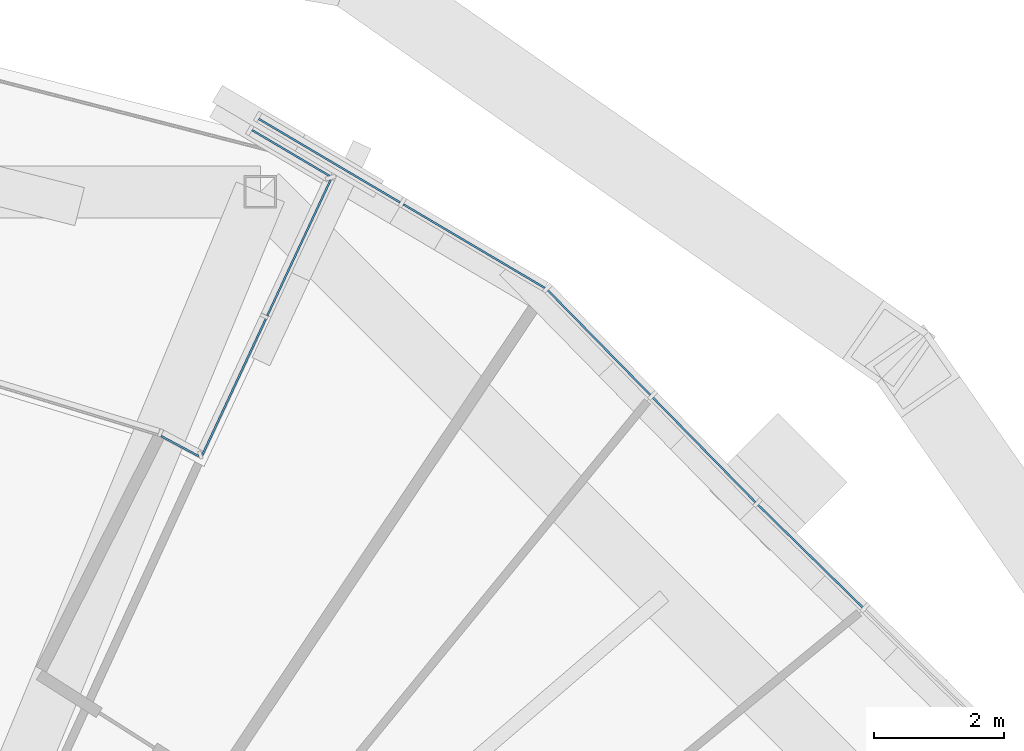
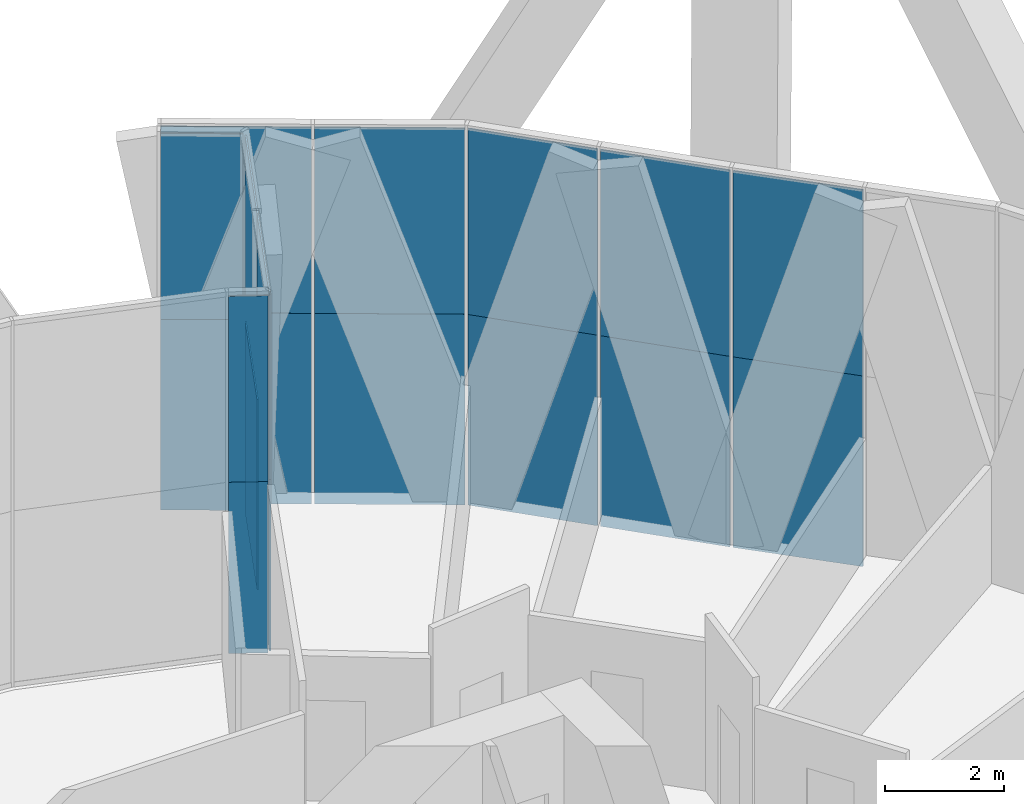
# One storey, part 19 of 31: 18 plates, 5 elements without a shape of their own.
"""IFC4 building model written with IfcOpenShell, lengths in metres."""

import ifcopenshell
import ifcopenshell.guid

model = None  # the IFC model being written
_history = None  # IfcOwnerHistory: only IFC2X3 demands one
_inside = {}  # id of a spatial element -> (the spatial element, [elements in it])
_under = {}  # id of a project, library or spatial element -> (it, [spatial elements below it])
_declared = {}  # id of a project -> (the project, [libraries it declares])
_typed = {}  # id of a type object -> (the type object, [elements of that type])
_made_of = {}  # id of a material, layer set ... -> (it, [elements and type objects made of it])


def new_model(schema):
    """Start an empty IFC model of exactly this schema.

    Asked for "IFC4X3", IfcOpenShell would pick the latest addendum, in which some entities
    have other attributes; the version numbers below select the first issue.
    IFC2X3 requires an IfcOwnerHistory on every rooted entity: one is made here for all.
    """
    global model, _history
    if schema == "IFC4X3":
        model = ifcopenshell.file(schema_version=(4, 3, 0, 0))
    else:
        model = ifcopenshell.file(schema=schema)
    _inside.clear()
    _under.clear()
    _declared.clear()
    _typed.clear()
    _made_of.clear()
    _history = None
    if model.schema == "IFC2X3":
        org = make("IfcOrganization", Name="unknown")
        user = make(
            "IfcPersonAndOrganization",
            ThePerson=make("IfcPerson", FamilyName="unknown"),
            TheOrganization=org,
        )
        app = make(
            "IfcApplication",
            ApplicationDeveloper=org,
            Version="unknown",
            ApplicationFullName="unknown",
            ApplicationIdentifier="unknown",
        )
        _history = make(
            "IfcOwnerHistory",
            OwningUser=user,
            OwningApplication=app,
            ChangeAction="ADDED",
            CreationDate=0,
        )
    return model


def make(cls, **values):
    """One entity of the class cls with the attributes given. An attribute that is None is left unset."""
    return model.create_entity(
        cls, **{name: value for name, value in values.items() if value is not None}
    )


def rooted(cls, **values):
    """An entity with a GlobalId (a new one), such as an element, a storey or a relation."""
    return make(cls, GlobalId=ifcopenshell.guid.new(), OwnerHistory=_history, **values)


def si_unit(unit_type, name, prefix=None):
    """IfcSIUnit, for example si_unit("LENGTHUNIT", "METRE", prefix="MILLI")."""
    return make("IfcSIUnit", UnitType=unit_type, Prefix=prefix, Name=name)


def assignment(units):
    """IfcUnitAssignment: the units of a project."""
    return None if units is None else make("IfcUnitAssignment", Units=units)


def point(xyz):
    """IfcCartesianPoint."""
    return None if xyz is None else make("IfcCartesianPoint", Coordinates=xyz)


def direction(xyz):
    """IfcDirection."""
    return None if xyz is None else make("IfcDirection", DirectionRatios=xyz)


def frame(location, z_axis=None, x_axis=None):
    """IfcAxis2Placement3D, a coordinate frame: its origin and axes. An axis left out is left unset."""
    return make(
        "IfcAxis2Placement3D",
        Location=point(location),
        Axis=direction(z_axis),
        RefDirection=direction(x_axis),
    )


def frame_2d(location, x_axis=None):
    """IfcAxis2Placement2D, a coordinate frame in the plane: its origin and x axis."""
    return make(
        "IfcAxis2Placement2D", Location=point(location), RefDirection=direction(x_axis)
    )


def origin():
    """The frame at (0, 0, 0) with its axes left unset."""
    return frame((0.0, 0.0, 0.0))


def origin_2d():
    """The frame at (0, 0) in the plane with its x axis left unset."""
    return frame_2d((0.0, 0.0))


def place(relative_to, where):
    """IfcLocalPlacement: puts the frame where relative to a parent placement (None: the world)."""
    return make(
        "IfcLocalPlacement", PlacementRelTo=relative_to, RelativePlacement=where
    )


def context(
    kind, dimensions, precision=None, world=None, true_north=None, identifier=None
):
    """IfcGeometricRepresentationContext, for example the 3D "Model" context."""
    return make(
        "IfcGeometricRepresentationContext",
        ContextIdentifier=identifier,
        ContextType=kind,
        CoordinateSpaceDimension=dimensions,
        Precision=precision,
        WorldCoordinateSystem=world,
        TrueNorth=true_north,
    )


def subcontext(parent, identifier, kind, view, scale=None):
    """IfcGeometricRepresentationSubContext, for example "Body" below "Model"."""
    return make(
        "IfcGeometricRepresentationSubContext",
        ContextIdentifier=identifier,
        ContextType=kind,
        ParentContext=parent,
        TargetScale=scale,
        TargetView=view,
    )


def project(units=None, contexts=None):
    """IfcProject with its units and contexts."""
    return rooted(
        "IfcProject",
        Name="project",
        RepresentationContexts=contexts,
        UnitsInContext=assignment(units),
    )


def spatial(cls, under=None, at=None, **own):
    """A site, building, storey or space (cls), placed at a placement, below another one or the project."""
    s = rooted(cls, ObjectPlacement=at, **own)
    if under is not None:
        _under.setdefault(under.id(), (under, []))[1].append(s)
    return s


def profile(cls, at=None, kind="AREA", **sizes):
    """A parametric profile (cls). Its sizes go by their IFC names, for example OverallWidth=200.0."""
    return make(cls, ProfileType=kind, Position=at, **sizes)


def rectangle(**sizes):
    """IfcRectangleProfileDef."""
    return profile("IfcRectangleProfileDef", **sizes)


def extrude(swept, where, along, depth):
    """IfcExtrudedAreaSolid: the profile swept, set in the frame where, extruded along a direction by depth."""
    return make(
        "IfcExtrudedAreaSolid",
        SweptArea=swept,
        Position=where,
        ExtrudedDirection=direction(along),
        Depth=depth,
    )


def shape(context_of_items, identifier, shape_type, items):
    """IfcShapeRepresentation: the items that make up one representation, for example the "Body"."""
    return make(
        "IfcShapeRepresentation",
        ContextOfItems=context_of_items,
        RepresentationIdentifier=identifier,
        RepresentationType=shape_type,
        Items=items,
    )


def material(Name=None, Category=None):
    """IfcMaterial."""
    return make("IfcMaterial", Name=Name, Category=Category)


def layer(
    of_material, thickness, ventilated=None, Name=None, Category=None, Priority=None
):
    """IfcMaterialLayer: one layer of a wall or slab, of a material (None: an air gap)."""
    return make(
        "IfcMaterialLayer",
        Material=of_material,
        LayerThickness=thickness,
        IsVentilated=ventilated,
        Name=Name,
        Category=Category,
        Priority=Priority,
    )


def layer_set(layers, Name=None):
    """IfcMaterialLayerSet."""
    return make("IfcMaterialLayerSet", MaterialLayers=layers, LayerSetName=Name)


def made_of(thing, what):
    """Note that an element or type object is made of a material, layer set ...; save() writes the relation."""
    if what is not None:
        _made_of.setdefault(what.id(), (what, []))[1].append(thing)
    return thing


def type_object(cls, material=None, **own):
    """A type object (cls), such as IfcWallType, which elements share."""
    return made_of(rooted(cls, **own), material)


def element(
    cls,
    number,
    at=None,
    inside=None,
    cuts=None,
    type_object=None,
    material=None,
    context=None,
    identifier="Body",
    shape_type=None,
    held_by="IfcProductDefinitionShape",
    body=None,
    shapes=None,
    **own,
):
    """One element of the class cls, such as IfcWall. Its Tag is "e" and its number.

    at: its placement. inside: the storey or other place that contains it. cuts: it is an
    opening in that element (IfcRelVoidsElement). A single representation is given by context,
    identifier, shape_type and body (its items); several are given by shapes. held_by: the class
    of the entity that holds the representations. save() writes the other relations.
    """
    e = rooted(cls, Tag="e%d" % number, ObjectPlacement=at, **own)
    if body is not None:
        shapes = [shape(context, identifier, shape_type, body)]
    if shapes is not None:
        e.Representation = make(held_by, Representations=shapes)
    if inside is not None:
        _inside.setdefault(inside.id(), (inside, []))[1].append(e)
    if cuts is not None:
        rooted(
            "IfcRelVoidsElement", RelatingBuildingElement=cuts, RelatedOpeningElement=e
        )
    if type_object is not None:
        _typed.setdefault(type_object.id(), (type_object, []))[1].append(e)
    return made_of(e, material)


def aggregate(whole, parts):
    """IfcRelAggregates: a whole, such as a stair, and the parts it consists of."""
    return rooted("IfcRelAggregates", RelatingObject=whole, RelatedObjects=parts)


def save(model, path):
    """Write the relations noted so far, then the file.

    IfcRelAggregates (storeys below a building ...), IfcRelContainedInSpatialStructure (elements
    in a storey), IfcRelDefinesByType, IfcRelAssociatesMaterial and IfcRelDeclares: one each for
    every whole, place, type object, material and project.
    """
    for whole, parts in _under.values():
        aggregate(whole, parts)
    for where, things in _inside.values():
        rooted(
            "IfcRelContainedInSpatialStructure",
            RelatedElements=things,
            RelatingStructure=where,
        )
    for kind, things in _typed.values():
        rooted("IfcRelDefinesByType", RelatedObjects=things, RelatingType=kind)
    for what, things in _made_of.values():
        rooted("IfcRelAssociatesMaterial", RelatedObjects=things, RelatingMaterial=what)
    for by, libraries in _declared.values():
        rooted("IfcRelDeclares", RelatingContext=by, RelatedDefinitions=libraries)
    model.write(path)


model = new_model("IFC4")

# Units and contexts
model_context = context("Model", 3, precision=1e-05, world=origin(), true_north=direction((0.0, 1.0)))
body_context = subcontext(model_context, "Body", "Model", "MODEL_VIEW")
ifc_project = project(units=[si_unit("LENGTHUNIT", "METRE"), si_unit("AREAUNIT", "SQUARE_METRE"), si_unit("VOLUMEUNIT", "CUBIC_METRE"), si_unit("PLANEANGLEUNIT", "RADIAN"), si_unit("MASSUNIT", "GRAM", prefix="KILO")], contexts=[model_context])

# Site, building, storey
site_placement = place(None, origin())
site = spatial("IfcSite", under=ifc_project, at=site_placement, CompositionType="ELEMENT")
building_placement = place(site_placement, origin())
building = spatial("IfcBuilding", under=site, at=building_placement, Name="Ogive Gate Towers", CompositionType="ELEMENT")
storey_placement = place(building_placement, frame((0.0, 0.0, 55.800048828125)))
storey = spatial("IfcBuildingStorey", under=building, at=storey_placement, Name="L12", CompositionType="ELEMENT", Elevation=55.800048828125)

# Curtain wall, plates
ifc_material_1 = material(Name="Pale metal aluminium", Category="aluminium")
curtain_wall_type_1 = type_object("IfcCurtainWallType", Name="Sky garden glazing", PredefinedType="NOTDEFINED", material=ifc_material_1)
curtain_wall_1_placement = place(storey_placement, origin())
curtain_wall_1 = element("IfcCurtainWall", 1, at=curtain_wall_1_placement, inside=storey, type_object=curtain_wall_type_1, Name="CW4 T1 ECW01", PredefinedType="NOTDEFINED")
ifc_material_2 = material(Name="Clear glass", Category="glass")
ifc_layer_1 = layer(ifc_material_2, 0.028076171875)
ifc_layer_set_1 = layer_set([ifc_layer_1], Name="Sky garden glazing glass panel")
plate_type_1 = type_object("IfcPlateType", Name="Sky garden glazing glass panel", PredefinedType="CURTAIN_PANEL", material=ifc_layer_set_1)
plate_1_placement = place(storey_placement, frame((-28.46923828125, 17.25732421875, 0.095947265625), z_axis=(0.0, 0.0, 1.0), x_axis=(0.881904808961, -0.471427521398, 0.0)))
plate_1 = element("IfcPlate", 2, at=plate_1_placement, type_object=plate_type_1, Name="CW4 glass panel", PredefinedType="CURTAIN_PANEL", context=body_context, shape_type="SweptSolid", body=[
    extrude(rectangle(XDim=0.65966796875, YDim=0.028076171875, at=origin_2d()), origin(), (0.0, 0.0, 1.0), 3.50390625),
])
plate_2_placement = place(storey_placement, frame((-28.46923828125, 17.25732421875, 3.60009765625), z_axis=(0.0, 0.0, 1.0), x_axis=(0.881904808961, -0.471427521398, 0.0)))
plate_2 = element("IfcPlate", 3, at=plate_2_placement, type_object=plate_type_1, Name="CW4 glass panel", PredefinedType="CURTAIN_PANEL", context=body_context, shape_type="SweptSolid", body=[
    extrude(rectangle(XDim=0.65966796875, YDim=0.028076171875, at=origin_2d()), origin(), (0.0, 0.0, 1.0), 3.803955078125),
])
plate_3_placement = place(storey_placement, frame((-27.639404296875, 18.165771484375, 0.095947265625), z_axis=(0.0, 0.0, 1.0), x_axis=(0.422618261741, 0.906307787037, 0.0)))
plate_3 = element("IfcPlate", 4, at=plate_3_placement, type_object=plate_type_1, Name="CW4 glass panel", PredefinedType="CURTAIN_PANEL", context=body_context, shape_type="SweptSolid", body=[
    extrude(rectangle(XDim=2.310302734375, YDim=0.028076171875, at=origin_2d()), origin(), (0.0, 0.0, 1.0), 3.50390625),
])
plate_4_placement = place(storey_placement, frame((-27.639404296875, 18.165771484375, 3.60009765625), z_axis=(0.0, 0.0, 1.0), x_axis=(0.422618261741, 0.906307787037, 0.0)))
plate_4 = element("IfcPlate", 5, at=plate_4_placement, type_object=plate_type_1, Name="CW4 glass panel", PredefinedType="CURTAIN_PANEL", context=body_context, shape_type="SweptSolid", body=[
    extrude(rectangle(XDim=2.310302734375, YDim=0.028076171875, at=origin_2d()), origin(), (0.0, 0.0, 1.0), 3.803955078125),
])
aggregate(curtain_wall_1, [plate_1, plate_2, plate_3, plate_4])

curtain_wall_type_2 = type_object("IfcCurtainWallType", Name="Tower unitised wall, low zone", PredefinedType="NOTDEFINED", material=ifc_material_1)
curtain_wall_2_placement = place(storey_placement, origin())
curtain_wall_2 = element("IfcCurtainWall", 6, at=curtain_wall_2_placement, inside=storey, type_object=curtain_wall_type_2, Name="CW1 T1 ECW03", PredefinedType="NOTDEFINED")
ifc_layer_2 = layer(ifc_material_2, 0.028076171875)
ifc_layer_set_2 = layer_set([ifc_layer_2], Name="Tower unitised wall, low zone glass panel")
plate_type_2 = type_object("IfcPlateType", Name="Tower unitised wall, low zone glass panel", PredefinedType="CURTAIN_PANEL", material=ifc_layer_set_2)
plate_5_placement = place(storey_placement, frame((-18.80029296875, 15.5703125, -0.300048828125), z_axis=(0.0, 0.0, 1.0), x_axis=(0.714338340748, -0.699800496526, 0.0)))
plate_5 = element("IfcPlate", 7, at=plate_5_placement, type_object=plate_type_2, Name="CW1 glass panel", PredefinedType="CURTAIN_PANEL", context=body_context, shape_type="SweptSolid", body=[
    extrude(rectangle(XDim=2.25048828125, YDim=0.028076171875, at=origin_2d()), origin(), (0.0, 0.0, 1.0), 3.89990234375),
])
plate_6_placement = place(storey_placement, frame((-18.80029296875, 15.5703125, 3.60009765625), z_axis=(0.0, 0.0, 1.0), x_axis=(0.714338340748, -0.699800496526, 0.0)))
plate_6 = element("IfcPlate", 8, at=plate_6_placement, type_object=plate_type_2, Name="CW1 glass panel", PredefinedType="CURTAIN_PANEL", context=body_context, shape_type="SweptSolid", body=[
    extrude(rectangle(XDim=2.25048828125, YDim=0.028076171875, at=origin_2d()), origin(), (0.0, 0.0, 1.0), 3.803955078125),
])
aggregate(curtain_wall_2, [plate_5, plate_6])

curtain_wall_3_placement = place(storey_placement, origin())
curtain_wall_3 = element("IfcCurtainWall", 9, at=curtain_wall_3_placement, inside=storey, type_object=curtain_wall_type_2, Name="CW1 T1 ECW04", PredefinedType="NOTDEFINED")
plate_7_placement = place(storey_placement, frame((-22.042236328125, 18.845703125, -0.300048828125), z_axis=(0.0, 0.0, 1.0), x_axis=(0.699775560987, -0.714362767958, 0.0)))
plate_7 = element("IfcPlate", 10, at=plate_7_placement, type_object=plate_type_2, Name="CW1 glass panel", PredefinedType="CURTAIN_PANEL", context=body_context, shape_type="SweptSolid", body=[
    extrude(rectangle(XDim=2.250244140625, YDim=0.028076171875, at=origin_2d()), origin(), (0.0, 0.0, 1.0), 3.89990234375),
])
plate_8_placement = place(storey_placement, frame((-22.042236328125, 18.845703125, 3.60009765625), z_axis=(0.0, 0.0, 1.0), x_axis=(0.699775560987, -0.714362767958, 0.0)))
plate_8 = element("IfcPlate", 11, at=plate_8_placement, type_object=plate_type_2, Name="CW1 glass panel", PredefinedType="CURTAIN_PANEL", context=body_context, shape_type="SweptSolid", body=[
    extrude(rectangle(XDim=2.250244140625, YDim=0.028076171875, at=origin_2d()), origin(), (0.0, 0.0, 1.0), 3.803955078125),
])
plate_9_placement = place(storey_placement, frame((-20.4296875, 17.19970703125, -0.300048828125), z_axis=(0.0, 0.0, 1.0), x_axis=(0.699800496526, -0.714338340748, 0.0)))
plate_9 = element("IfcPlate", 12, at=plate_9_placement, type_object=plate_type_2, Name="CW1 glass panel", PredefinedType="CURTAIN_PANEL", context=body_context, shape_type="SweptSolid", body=[
    extrude(rectangle(XDim=2.25048828125, YDim=0.028076171875, at=origin_2d()), origin(), (0.0, 0.0, 1.0), 3.89990234375),
])
plate_10_placement = place(storey_placement, frame((-20.4296875, 17.19970703125, 3.60009765625), z_axis=(0.0, 0.0, 1.0), x_axis=(0.699800496526, -0.714338340748, 0.0)))
plate_10 = element("IfcPlate", 13, at=plate_10_placement, type_object=plate_type_2, Name="CW1 glass panel", PredefinedType="CURTAIN_PANEL", context=body_context, shape_type="SweptSolid", body=[
    extrude(rectangle(XDim=2.25048828125, YDim=0.028076171875, at=origin_2d()), origin(), (0.0, 0.0, 1.0), 3.803955078125),
])
aggregate(curtain_wall_3, [plate_7, plate_8, plate_9, plate_10])

curtain_wall_4_placement = place(storey_placement, origin())
curtain_wall_4 = element("IfcCurtainWall", 14, at=curtain_wall_4_placement, inside=storey, type_object=curtain_wall_type_2, Name="CW1 T1 ECW04b", PredefinedType="NOTDEFINED")
plate_11_placement = place(storey_placement, frame((-26.64404296875, 20.30029296875, -0.300048828125), z_axis=(0.0, 0.0, 1.0), x_axis=(0.422618261741, 0.906307787037, 0.0)))
plate_11 = element("IfcPlate", 15, at=plate_11_placement, type_object=plate_type_2, Name="CW1 glass panel", PredefinedType="CURTAIN_PANEL", context=body_context, shape_type="SweptSolid", body=[
    extrude(rectangle(XDim=2.302490234375, YDim=0.028076171875, at=origin_2d()), origin(), (0.0, 0.0, 1.0), 3.89990234375),
])
plate_12_placement = place(storey_placement, frame((-26.64404296875, 20.30029296875, 3.60009765625), z_axis=(0.0, 0.0, 1.0), x_axis=(0.422618261741, 0.906307787037, 0.0)))
plate_12 = element("IfcPlate", 16, at=plate_12_placement, type_object=plate_type_2, Name="CW1 glass panel", PredefinedType="CURTAIN_PANEL", context=body_context, shape_type="SweptSolid", body=[
    extrude(rectangle(XDim=2.302490234375, YDim=0.028076171875, at=origin_2d()), origin(), (0.0, 0.0, 1.0), 3.803955078125),
])
plate_13_placement = place(storey_placement, frame((-26.770751953125, 21.75439453125, -0.300048828125), z_axis=(0.0, 0.0, 1.0), x_axis=(-0.860893024743, 0.508786006047, 0.0)))
plate_13 = element("IfcPlate", 17, at=plate_13_placement, type_object=plate_type_2, Name="CW1 glass panel", PredefinedType="CURTAIN_PANEL", context=body_context, shape_type="SweptSolid", body=[
    extrude(rectangle(XDim=1.382080078125, YDim=0.028076171875, at=origin_2d()), origin(), (0.0, 0.0, 1.0), 3.89990234375),
])
plate_14_placement = place(storey_placement, frame((-26.770751953125, 21.75439453125, 3.60009765625), z_axis=(0.0, 0.0, 1.0), x_axis=(-0.860893024743, 0.508786006047, 0.0)))
plate_14 = element("IfcPlate", 18, at=plate_14_placement, type_object=plate_type_2, Name="CW1 glass panel", PredefinedType="CURTAIN_PANEL", context=body_context, shape_type="SweptSolid", body=[
    extrude(rectangle(XDim=1.382080078125, YDim=0.028076171875, at=origin_2d()), origin(), (0.0, 0.0, 1.0), 3.803955078125),
])
aggregate(curtain_wall_4, [plate_11, plate_12, plate_13, plate_14])

curtain_wall_5_placement = place(storey_placement, origin())
curtain_wall_5 = element("IfcCurtainWall", 19, at=curtain_wall_5_placement, inside=storey, type_object=curtain_wall_type_2, Name="CW1 T1 ECW04c", PredefinedType="NOTDEFINED")
plate_15_placement = place(storey_placement, frame((-26.177490234375, 21.635986328125, -0.300048828125), z_axis=(0.0, 0.0, 1.0), x_axis=(0.860884144621, -0.508801031387, 0.0)))
plate_15 = element("IfcPlate", 20, at=plate_15_placement, type_object=plate_type_2, Name="CW1 glass panel", PredefinedType="CURTAIN_PANEL", context=body_context, shape_type="SweptSolid", body=[
    extrude(rectangle(XDim=2.523681640625, YDim=0.028076171875, at=origin_2d()), origin(), (0.0, 0.0, 1.0), 3.89990234375),
])
plate_16_placement = place(storey_placement, frame((-26.177490234375, 21.635986328125, 3.60009765625), z_axis=(0.0, 0.0, 1.0), x_axis=(0.860884144621, -0.508801031387, 0.0)))
plate_16 = element("IfcPlate", 21, at=plate_16_placement, type_object=plate_type_2, Name="CW1 glass panel", PredefinedType="CURTAIN_PANEL", context=body_context, shape_type="SweptSolid", body=[
    extrude(rectangle(XDim=2.523681640625, YDim=0.028076171875, at=origin_2d()), origin(), (0.0, 0.0, 1.0), 3.803955078125),
])
plate_17_placement = place(storey_placement, frame((-23.9580078125, 20.32470703125, -0.300048828125), z_axis=(0.0, 0.0, 1.0), x_axis=(0.8609107842, -0.508755954902, 0.0)))
plate_17 = element("IfcPlate", 22, at=plate_17_placement, type_object=plate_type_2, Name="CW1 glass panel", PredefinedType="CURTAIN_PANEL", context=body_context, shape_type="SweptSolid", body=[
    extrude(rectangle(XDim=2.52392578125, YDim=0.028076171875, at=origin_2d()), origin(), (0.0, 0.0, 1.0), 3.89990234375),
])
plate_18_placement = place(storey_placement, frame((-23.9580078125, 20.32470703125, 3.60009765625), z_axis=(0.0, 0.0, 1.0), x_axis=(0.8609107842, -0.508755954902, 0.0)))
plate_18 = element("IfcPlate", 23, at=plate_18_placement, type_object=plate_type_2, Name="CW1 glass panel", PredefinedType="CURTAIN_PANEL", context=body_context, shape_type="SweptSolid", body=[
    extrude(rectangle(XDim=2.52392578125, YDim=0.028076171875, at=origin_2d()), origin(), (0.0, 0.0, 1.0), 3.803955078125),
])
aggregate(curtain_wall_5, [plate_15, plate_16, plate_17, plate_18])

save(model, "model.ifc")
